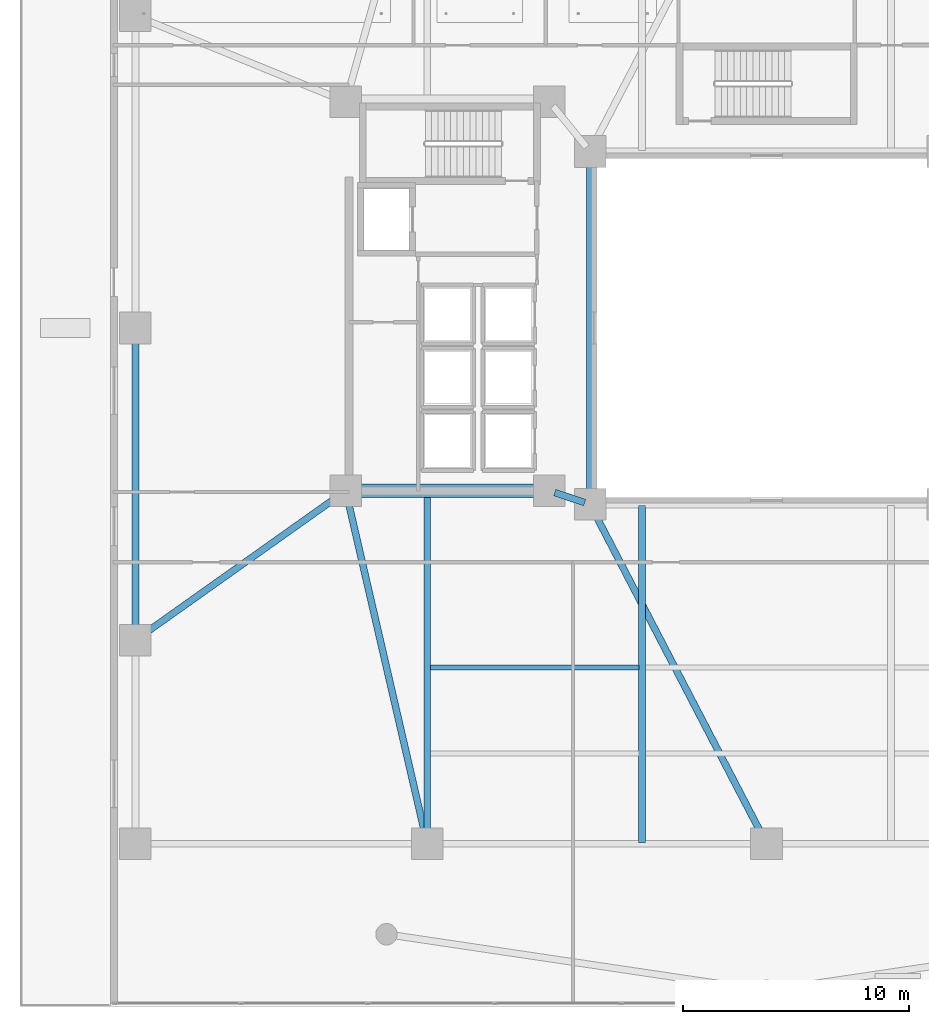
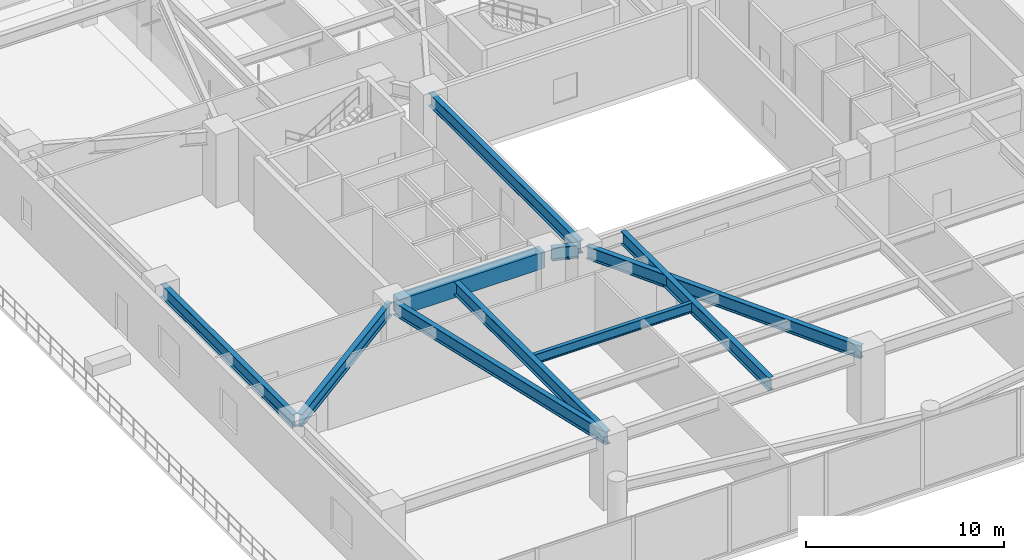
# One storey, part 4 of 29: 10 beams.
"""IFC4 building model written with IfcOpenShell, lengths in metres."""

from ifc_helpers import new_model, si_unit, direction, frame, origin, origin_2d, place, context, subcontext, project, spatial, rectangle, i_section, extrude, material, material_profile, profile_set, type_object, element, save


model = new_model("IFC4")

# Units and contexts
model_context = context("Model", 3, precision=1e-05, world=origin(), true_north=direction((0.0, 1.0)))
body_context = subcontext(model_context, "Body", "Model", "MODEL_VIEW")
ifc_project = project(units=[si_unit("LENGTHUNIT", "METRE"), si_unit("AREAUNIT", "SQUARE_METRE"), si_unit("VOLUMEUNIT", "CUBIC_METRE"), si_unit("PLANEANGLEUNIT", "RADIAN"), si_unit("MASSUNIT", "GRAM", prefix="KILO")], contexts=[model_context])

# Site, building, storey
site_placement = place(None, origin())
site = spatial("IfcSite", under=ifc_project, at=site_placement, CompositionType="ELEMENT")
building_placement = place(site_placement, origin())
building = spatial("IfcBuilding", under=site, at=building_placement, Name="Tarnavaz Court Tower", CompositionType="ELEMENT")
storey_placement = place(building_placement, frame((0.0, 0.0, 5.39990234375)))
storey = spatial("IfcBuildingStorey", under=building, at=storey_placement, Name="L01", CompositionType="ELEMENT", Elevation=5.39990234375)

# Beams
ifc_material_1 = material(Name="Concrete C60/75", Category="concrete")
ifc_material_profile_1 = material_profile(ifc_material_1, rectangle(XDim=0.60009765625, YDim=1.0, at=origin_2d()), Name="RC 600X1000")
ifc_profile_set_1 = profile_set([ifc_material_profile_1], Name="Concrete C60/75")
beam_type_1 = type_object("IfcBeamType", Name="BM-CB1000", PredefinedType="LINTEL", material=ifc_profile_set_1)
beam_1_placement = place(storey_placement, frame((-18.35009765625, -7.199951171875, 3.7001953125), z_axis=(1.0, 0.0, 0.0), x_axis=(0.0, 1.0, 0.0)))
element("IfcBeam", 1, at=beam_1_placement, inside=storey, type_object=beam_type_1, Name="L01 Beam CW-SO-CW-SI", PredefinedType="LINTEL", context=body_context, shape_type="SweptSolid", body=[
    extrude(rectangle(XDim=0.60009765625, YDim=1.0, at=origin_2d()), origin(), (0.0, 0.0, 1.0), 8.5),
])
ifc_material_2 = material(Name="Steel S355", Category="steel")
ifc_material_profile_2 = material_profile(ifc_material_2, i_section(OverallWidth=0.300048828125, OverallDepth=0.800048828125, WebThickness=0.017578125, FlangeThickness=0.032958984375, FilletRadius=0.030029296875, at=origin_2d()), Name="HEB 800")
ifc_profile_set_2 = profile_set([ifc_material_profile_2], Name="Steel S355")
beam_type_2 = type_object("IfcBeamType", Name="BM-G-HEB800", PredefinedType="USERDEFINED", material=ifc_profile_set_2)
beam_2_placement = place(storey_placement, frame((-7.800048828125, -7.550048828125, 3.800048828125), z_axis=(0.0, 1.0, 0.0), x_axis=(-1.0, 0.0, 0.0)))
element("IfcBeam", 2, at=beam_2_placement, inside=storey, type_object=beam_type_2, Name="L01 Beam IW-SW-IW-NW", ObjectType="GIRDER", PredefinedType="USERDEFINED", context=body_context, shape_type="SweptSolid", body=[
    extrude(i_section(OverallWidth=0.300048828125, OverallDepth=0.800048828125, WebThickness=0.017578125, FlangeThickness=0.032958984375, FilletRadius=0.030029296875, at=origin_2d()), origin(), (0.0, 0.0, 1.0), 15.10009765625),
])
beam_3_placement = place(storey_placement, frame((-9.36279296875, -7.279052734375, 3.800048828125), z_axis=(0.948683298051, -0.316227766017, 0.0), x_axis=(0.316227766017, 0.948683298051, 0.0)))
element("IfcBeam", 3, at=beam_3_placement, inside=storey, type_object=beam_type_2, Name="L01 Beam CW-SI-IW-SW", ObjectType="GIRDER", PredefinedType="USERDEFINED", context=body_context, shape_type="SweptSolid", body=[
    extrude(i_section(OverallWidth=0.300048828125, OverallDepth=0.800048828125, WebThickness=0.017578125, FlangeThickness=0.032958984375, FilletRadius=0.030029296875, at=origin_2d()), origin(), (0.0, 0.0, 1.0), 1.3974609375),
])
beam_4_placement = place(storey_placement, frame((-27.89990234375, -13.550048828125, 3.800048828125), z_axis=(0.0, 1.0, 0.0), x_axis=(-1.0, 0.0, 0.0)))
element("IfcBeam", 4, at=beam_4_placement, inside=storey, type_object=beam_type_2, Name="L01 Beam PM-PM-W1-PM-W2", ObjectType="GIRDER", PredefinedType="USERDEFINED", context=body_context, shape_type="SweptSolid", body=[
    extrude(i_section(OverallWidth=0.300048828125, OverallDepth=0.800048828125, WebThickness=0.017578125, FlangeThickness=0.032958984375, FilletRadius=0.030029296875, at=origin_2d()), origin(), (0.0, 0.0, 1.0), 13.300048828125),
])
beam_5_placement = place(storey_placement, frame((-18.543701171875, -7.443603515625, 3.800048828125), z_axis=(0.224858357084, -0.97439146099, 0.0), x_axis=(0.97439146099, 0.224858357084, 0.0)))
element("IfcBeam", 5, at=beam_5_placement, inside=storey, type_object=beam_type_2, Name="L01 Beam PM-CW-SO-PM-S1", ObjectType="GIRDER", PredefinedType="USERDEFINED", context=body_context, shape_type="SweptSolid", body=[
    extrude(i_section(OverallWidth=0.300048828125, OverallDepth=0.800048828125, WebThickness=0.017578125, FlangeThickness=0.032958984375, FilletRadius=0.030029296875, at=origin_2d()), origin(), (0.0, 0.0, 1.0), 15.510009765625),
])
beam_6_placement = place(storey_placement, frame((-7.684814453125, -8.021728515625, 3.800048828125), z_axis=(0.461364918236, -0.887210466699, 0.0), x_axis=(0.887210466699, 0.461364918236, 0.0)))
element("IfcBeam", 6, at=beam_6_placement, inside=storey, type_object=beam_type_2, Name="L01 Beam PM-IW-SW-PM-S2", ObjectType="GIRDER", PredefinedType="USERDEFINED", context=body_context, shape_type="SweptSolid", body=[
    extrude(i_section(OverallWidth=0.300048828125, OverallDepth=0.800048828125, WebThickness=0.017578125, FlangeThickness=0.032958984375, FilletRadius=0.030029296875, at=origin_2d()), origin(), (0.0, 0.0, 1.0), 16.406982421875),
])
beam_7_placement = place(storey_placement, frame((-18.803955078125, -7.3447265625, 3.800048828125), z_axis=(-0.815505781161, -0.578748927336, 0.0), x_axis=(0.578748927336, -0.815505781161, 0.0)))
element("IfcBeam", 7, at=beam_7_placement, inside=storey, type_object=beam_type_2, Name="L01 Beam PM-CW-SO-PM-W1", ObjectType="GIRDER", PredefinedType="USERDEFINED", context=body_context, shape_type="SweptSolid", body=[
    extrude(i_section(OverallWidth=0.300048828125, OverallDepth=0.800048828125, WebThickness=0.017578125, FlangeThickness=0.032958984375, FilletRadius=0.030029296875, at=origin_2d()), origin(), (0.0, 0.0, 1.0), 10.90380859375),
])
beam_8_placement = place(storey_placement, frame((-15.0, -7.239990234375, 3.800048828125), z_axis=(0.0, -1.0, 0.0), x_axis=(1.0, 0.0, 0.0)))
element("IfcBeam", 8, at=beam_8_placement, inside=storey, type_object=beam_type_2, Name="L01 Beam PM-NS-SW", ObjectType="GIRDER", PredefinedType="USERDEFINED", context=body_context, shape_type="SweptSolid", body=[
    extrude(i_section(OverallWidth=0.300048828125, OverallDepth=0.800048828125, WebThickness=0.017578125, FlangeThickness=0.032958984375, FilletRadius=0.030029296875, at=origin_2d()), origin(), (0.0, 0.0, 1.0), 15.52001953125),
])
beam_9_placement = place(storey_placement, frame((-5.5, -7.840087890625, 3.800048828125), z_axis=(0.0, -1.0, 0.0), x_axis=(1.0, 0.0, 0.0)))
element("IfcBeam", 9, at=beam_9_placement, inside=storey, type_object=beam_type_2, Name="L01 Beam PM-NS-SCW", ObjectType="GIRDER", PredefinedType="USERDEFINED", context=body_context, shape_type="SweptSolid", body=[
    extrude(i_section(OverallWidth=0.300048828125, OverallDepth=0.800048828125, WebThickness=0.017578125, FlangeThickness=0.032958984375, FilletRadius=0.030029296875, at=origin_2d()), origin(), (0.0, 0.0, 1.0), 14.919921875),
])
ifc_material_profile_3 = material_profile(ifc_material_2, i_section(OverallWidth=0.219970703125, OverallDepth=0.60009765625, WebThickness=0.011962890625, FlangeThickness=0.01904296875, FilletRadius=0.02392578125, at=origin_2d()), Name="IPE 600")
ifc_profile_set_3 = profile_set([ifc_material_profile_3], Name="Steel S355")
beam_type_3 = type_object("IfcBeamType", Name="BM-J-IPE600", PredefinedType="JOIST", material=ifc_profile_set_3)
beam_10_placement = place(storey_placement, frame((-14.85009765625, -15.0, 3.900146484375), z_axis=(1.0, 0.0, 0.0), x_axis=(0.0, 1.0, 0.0)))
element("IfcBeam", 10, at=beam_10_placement, inside=storey, type_object=beam_type_3, Name="L01 Beam PJS-1-1", PredefinedType="JOIST", context=body_context, shape_type="SweptSolid", body=[
    extrude(i_section(OverallWidth=0.219970703125, OverallDepth=0.60009765625, WebThickness=0.011962890625, FlangeThickness=0.01904296875, FilletRadius=0.02392578125, at=origin_2d()), origin(), (0.0, 0.0, 1.0), 9.2001953125),
])

save(model, "model.ifc")
